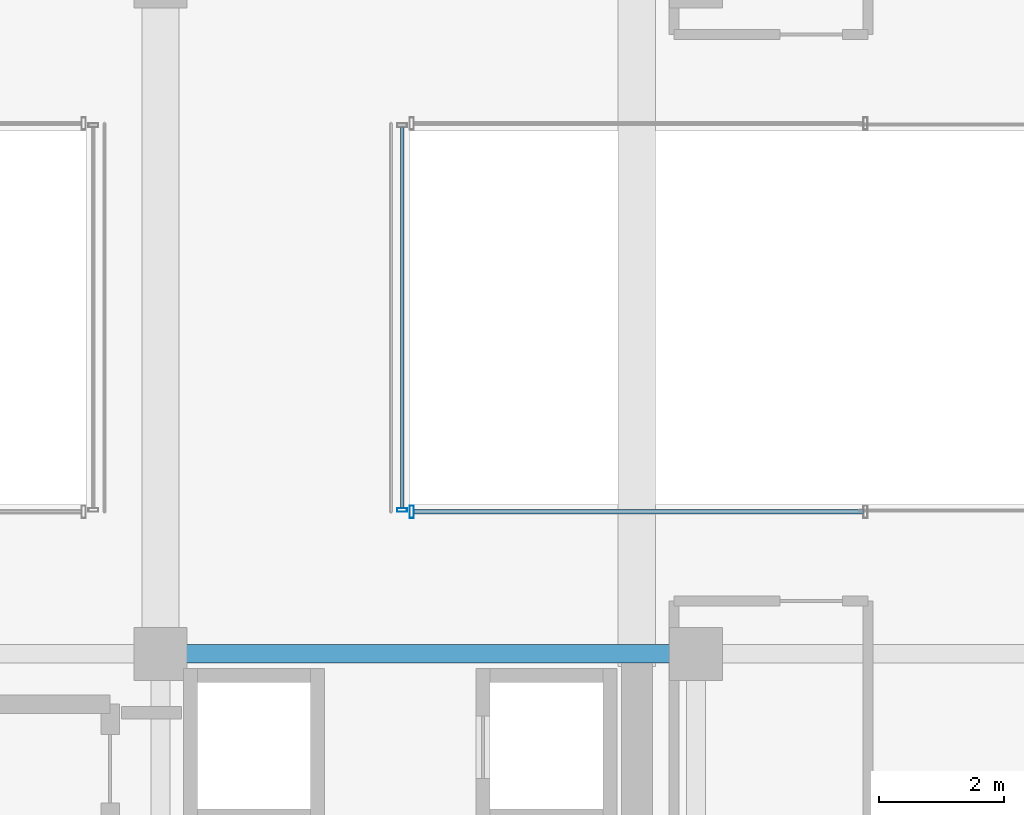
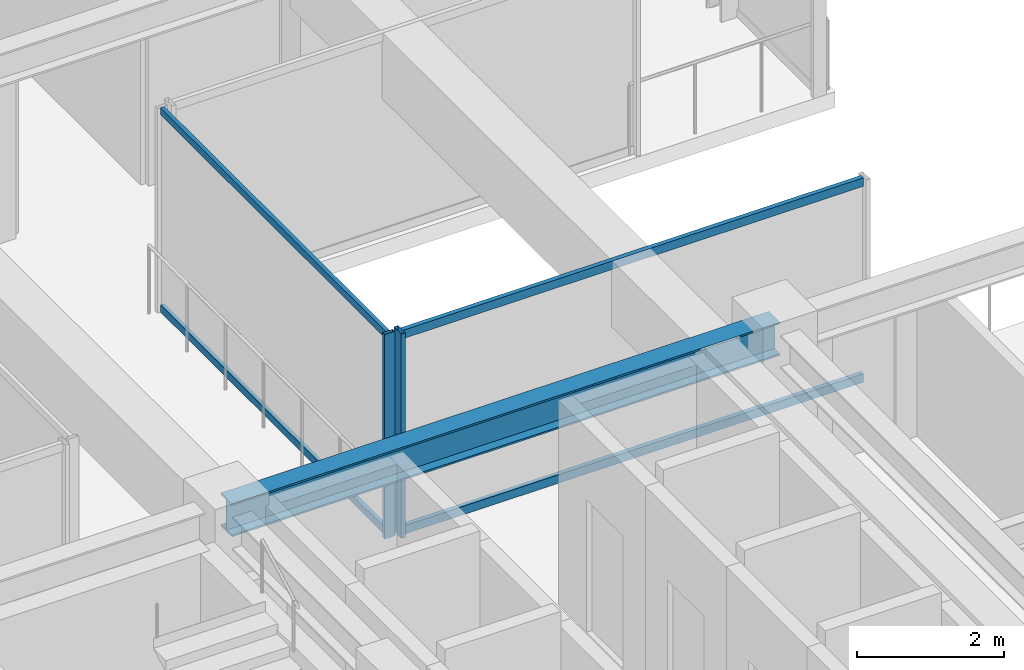
# One storey, part 16 of 41: 6 members, 1 beam, 2 elements without a shape of their own.
"""IFC4 building model written with IfcOpenShell, lengths in metres."""

import ifcopenshell
import ifcopenshell.guid

model = None  # the IFC model being written
_history = None  # IfcOwnerHistory: only IFC2X3 demands one
_inside = {}  # id of a spatial element -> (the spatial element, [elements in it])
_under = {}  # id of a project, library or spatial element -> (it, [spatial elements below it])
_declared = {}  # id of a project -> (the project, [libraries it declares])
_typed = {}  # id of a type object -> (the type object, [elements of that type])
_made_of = {}  # id of a material, layer set ... -> (it, [elements and type objects made of it])


def new_model(schema):
    """Start an empty IFC model of exactly this schema.

    Asked for "IFC4X3", IfcOpenShell would pick the latest addendum, in which some entities
    have other attributes; the version numbers below select the first issue.
    IFC2X3 requires an IfcOwnerHistory on every rooted entity: one is made here for all.
    """
    global model, _history
    if schema == "IFC4X3":
        model = ifcopenshell.file(schema_version=(4, 3, 0, 0))
    else:
        model = ifcopenshell.file(schema=schema)
    _inside.clear()
    _under.clear()
    _declared.clear()
    _typed.clear()
    _made_of.clear()
    _history = None
    if model.schema == "IFC2X3":
        org = make("IfcOrganization", Name="unknown")
        user = make(
            "IfcPersonAndOrganization",
            ThePerson=make("IfcPerson", FamilyName="unknown"),
            TheOrganization=org,
        )
        app = make(
            "IfcApplication",
            ApplicationDeveloper=org,
            Version="unknown",
            ApplicationFullName="unknown",
            ApplicationIdentifier="unknown",
        )
        _history = make(
            "IfcOwnerHistory",
            OwningUser=user,
            OwningApplication=app,
            ChangeAction="ADDED",
            CreationDate=0,
        )
    return model


def make(cls, **values):
    """One entity of the class cls with the attributes given. An attribute that is None is left unset."""
    return model.create_entity(
        cls, **{name: value for name, value in values.items() if value is not None}
    )


def rooted(cls, **values):
    """An entity with a GlobalId (a new one), such as an element, a storey or a relation."""
    return make(cls, GlobalId=ifcopenshell.guid.new(), OwnerHistory=_history, **values)


def si_unit(unit_type, name, prefix=None):
    """IfcSIUnit, for example si_unit("LENGTHUNIT", "METRE", prefix="MILLI")."""
    return make("IfcSIUnit", UnitType=unit_type, Prefix=prefix, Name=name)


def assignment(units):
    """IfcUnitAssignment: the units of a project."""
    return None if units is None else make("IfcUnitAssignment", Units=units)


def point(xyz):
    """IfcCartesianPoint."""
    return None if xyz is None else make("IfcCartesianPoint", Coordinates=xyz)


def direction(xyz):
    """IfcDirection."""
    return None if xyz is None else make("IfcDirection", DirectionRatios=xyz)


def frame(location, z_axis=None, x_axis=None):
    """IfcAxis2Placement3D, a coordinate frame: its origin and axes. An axis left out is left unset."""
    return make(
        "IfcAxis2Placement3D",
        Location=point(location),
        Axis=direction(z_axis),
        RefDirection=direction(x_axis),
    )


def frame_2d(location, x_axis=None):
    """IfcAxis2Placement2D, a coordinate frame in the plane: its origin and x axis."""
    return make(
        "IfcAxis2Placement2D", Location=point(location), RefDirection=direction(x_axis)
    )


def origin():
    """The frame at (0, 0, 0) with its axes left unset."""
    return frame((0.0, 0.0, 0.0))


def origin_2d():
    """The frame at (0, 0) in the plane with its x axis left unset."""
    return frame_2d((0.0, 0.0))


def place(relative_to, where):
    """IfcLocalPlacement: puts the frame where relative to a parent placement (None: the world)."""
    return make(
        "IfcLocalPlacement", PlacementRelTo=relative_to, RelativePlacement=where
    )


def context(
    kind, dimensions, precision=None, world=None, true_north=None, identifier=None
):
    """IfcGeometricRepresentationContext, for example the 3D "Model" context."""
    return make(
        "IfcGeometricRepresentationContext",
        ContextIdentifier=identifier,
        ContextType=kind,
        CoordinateSpaceDimension=dimensions,
        Precision=precision,
        WorldCoordinateSystem=world,
        TrueNorth=true_north,
    )


def subcontext(parent, identifier, kind, view, scale=None):
    """IfcGeometricRepresentationSubContext, for example "Body" below "Model"."""
    return make(
        "IfcGeometricRepresentationSubContext",
        ContextIdentifier=identifier,
        ContextType=kind,
        ParentContext=parent,
        TargetScale=scale,
        TargetView=view,
    )


def project(units=None, contexts=None):
    """IfcProject with its units and contexts."""
    return rooted(
        "IfcProject",
        Name="project",
        RepresentationContexts=contexts,
        UnitsInContext=assignment(units),
    )


def spatial(cls, under=None, at=None, **own):
    """A site, building, storey or space (cls), placed at a placement, below another one or the project."""
    s = rooted(cls, ObjectPlacement=at, **own)
    if under is not None:
        _under.setdefault(under.id(), (under, []))[1].append(s)
    return s


def profile(cls, at=None, kind="AREA", **sizes):
    """A parametric profile (cls). Its sizes go by their IFC names, for example OverallWidth=200.0."""
    return make(cls, ProfileType=kind, Position=at, **sizes)


def hollow_rectangle(**sizes):
    """IfcRectangleHollowProfileDef."""
    return profile("IfcRectangleHollowProfileDef", **sizes)


def i_section(**sizes):
    """IfcIShapeProfileDef."""
    return profile("IfcIShapeProfileDef", **sizes)


def extrude(swept, where, along, depth):
    """IfcExtrudedAreaSolid: the profile swept, set in the frame where, extruded along a direction by depth."""
    return make(
        "IfcExtrudedAreaSolid",
        SweptArea=swept,
        Position=where,
        ExtrudedDirection=direction(along),
        Depth=depth,
    )


def shape(context_of_items, identifier, shape_type, items):
    """IfcShapeRepresentation: the items that make up one representation, for example the "Body"."""
    return make(
        "IfcShapeRepresentation",
        ContextOfItems=context_of_items,
        RepresentationIdentifier=identifier,
        RepresentationType=shape_type,
        Items=items,
    )


def source(mapping_origin, context_of_items, identifier, shape_type, items):
    """IfcRepresentationMap: a shape defined once, which mapped items show again and again."""
    return make(
        "IfcRepresentationMap",
        MappingOrigin=mapping_origin,
        MappedRepresentation=shape(context_of_items, identifier, shape_type, items),
    )


def transform(
    local_origin,
    x_axis=None,
    y_axis=None,
    z_axis=None,
    scale=None,
    scale2=None,
    scale3=None,
    uniform=True,
):
    """IfcCartesianTransformationOperator3D, or its non-uniform kind. x_axis, y_axis, z_axis: its Axis1, 2, 3."""
    if uniform:
        return make(
            "IfcCartesianTransformationOperator3D",
            Axis1=direction(x_axis),
            Axis2=direction(y_axis),
            LocalOrigin=point(local_origin),
            Scale=scale,
            Axis3=direction(z_axis),
        )
    return make(
        "IfcCartesianTransformationOperator3DnonUniform",
        Axis1=direction(x_axis),
        Axis2=direction(y_axis),
        LocalOrigin=point(local_origin),
        Scale=scale,
        Axis3=direction(z_axis),
        Scale2=scale2,
        Scale3=scale3,
    )


def mapped(mapping_source, mapping_target):
    """IfcMappedItem: shows the shape of a source again, moved by a transform."""
    return make(
        "IfcMappedItem", MappingSource=mapping_source, MappingTarget=mapping_target
    )


def material(Name=None, Category=None):
    """IfcMaterial."""
    return make("IfcMaterial", Name=Name, Category=Category)


def material_profile(
    of_material, cross_section, Name=None, Category=None, Priority=None
):
    """IfcMaterialProfile: a cross section and its material."""
    return make(
        "IfcMaterialProfile",
        Name=Name,
        Material=of_material,
        Profile=cross_section,
        Priority=Priority,
        Category=Category,
    )


def profile_set(profiles, Name=None, composite=None):
    """IfcMaterialProfileSet."""
    return make(
        "IfcMaterialProfileSet",
        Name=Name,
        MaterialProfiles=profiles,
        CompositeProfile=composite,
    )


def made_of(thing, what):
    """Note that an element or type object is made of a material, layer set ...; save() writes the relation."""
    if what is not None:
        _made_of.setdefault(what.id(), (what, []))[1].append(thing)
    return thing


def type_object(cls, material=None, **own):
    """A type object (cls), such as IfcWallType, which elements share."""
    return made_of(rooted(cls, **own), material)


def element(
    cls,
    number,
    at=None,
    inside=None,
    cuts=None,
    type_object=None,
    material=None,
    context=None,
    identifier="Body",
    shape_type=None,
    held_by="IfcProductDefinitionShape",
    body=None,
    shapes=None,
    **own,
):
    """One element of the class cls, such as IfcWall. Its Tag is "e" and its number.

    at: its placement. inside: the storey or other place that contains it. cuts: it is an
    opening in that element (IfcRelVoidsElement). A single representation is given by context,
    identifier, shape_type and body (its items); several are given by shapes. held_by: the class
    of the entity that holds the representations. save() writes the other relations.
    """
    e = rooted(cls, Tag="e%d" % number, ObjectPlacement=at, **own)
    if body is not None:
        shapes = [shape(context, identifier, shape_type, body)]
    if shapes is not None:
        e.Representation = make(held_by, Representations=shapes)
    if inside is not None:
        _inside.setdefault(inside.id(), (inside, []))[1].append(e)
    if cuts is not None:
        rooted(
            "IfcRelVoidsElement", RelatingBuildingElement=cuts, RelatedOpeningElement=e
        )
    if type_object is not None:
        _typed.setdefault(type_object.id(), (type_object, []))[1].append(e)
    return made_of(e, material)


def aggregate(whole, parts):
    """IfcRelAggregates: a whole, such as a stair, and the parts it consists of."""
    return rooted("IfcRelAggregates", RelatingObject=whole, RelatedObjects=parts)


def save(model, path):
    """Write the relations noted so far, then the file.

    IfcRelAggregates (storeys below a building ...), IfcRelContainedInSpatialStructure (elements
    in a storey), IfcRelDefinesByType, IfcRelAssociatesMaterial and IfcRelDeclares: one each for
    every whole, place, type object, material and project.
    """
    for whole, parts in _under.values():
        aggregate(whole, parts)
    for where, things in _inside.values():
        rooted(
            "IfcRelContainedInSpatialStructure",
            RelatedElements=things,
            RelatingStructure=where,
        )
    for kind, things in _typed.values():
        rooted("IfcRelDefinesByType", RelatedObjects=things, RelatingType=kind)
    for what, things in _made_of.values():
        rooted("IfcRelAssociatesMaterial", RelatedObjects=things, RelatingMaterial=what)
    for by, libraries in _declared.values():
        rooted("IfcRelDeclares", RelatingContext=by, RelatedDefinitions=libraries)
    model.write(path)


model = new_model("IFC4")

# Units and contexts
model_context = context("Model", 3, precision=1e-05, world=origin(), true_north=direction((0.0, 1.0)))
body_context = subcontext(model_context, "Body", "Model", "MODEL_VIEW")
ifc_project = project(units=[si_unit("LENGTHUNIT", "METRE"), si_unit("AREAUNIT", "SQUARE_METRE"), si_unit("VOLUMEUNIT", "CUBIC_METRE"), si_unit("PLANEANGLEUNIT", "RADIAN"), si_unit("MASSUNIT", "GRAM", prefix="KILO")], contexts=[model_context])

# Site, building, storey
site_placement = place(None, origin())
site = spatial("IfcSite", under=ifc_project, at=site_placement, CompositionType="ELEMENT")
building_placement = place(site_placement, origin())
building = spatial("IfcBuilding", under=site, at=building_placement, Name="Nahalor Promenade Grand Hotel", CompositionType="ELEMENT")
storey_placement = place(building_placement, frame((0.0, 0.0, 159.949951171875)))
storey = spatial("IfcBuildingStorey", under=building, at=storey_placement, Name="L40", CompositionType="ELEMENT", Elevation=159.949951171875)

# Beam
ifc_material_1 = material(Name="Steel S355JR", Category="steel")
ifc_material_profile_1 = material_profile(ifc_material_1, i_section(OverallWidth=0.3, OverallDepth=0.55, WebThickness=0.015, FlangeThickness=0.029, at=origin_2d()), Name="HEB 550")
ifc_profile_set_1 = profile_set([ifc_material_profile_1], Name="Steel S355JR")
beam_type = type_object("IfcBeamType", Name="Beam-Girder-HEB550", PredefinedType="BEAM", material=ifc_profile_set_1)
shared_shape_1 = source(origin(), body_context, "Body", "SweptSolid", [
    extrude(i_section(OverallWidth=0.3, OverallDepth=0.55, WebThickness=0.015, FlangeThickness=0.029, at=origin_2d()), origin(), (0.0, 0.0, 1.0), 8.60009765625),
])
beam_placement = place(storey_placement, frame((8.39990234375, -5.39990234375, 3.114990234375), z_axis=(1.0, 0.0, 0.0), x_axis=(0.0, 1.0, 0.0)))
element("IfcBeam", 1, at=beam_placement, inside=storey, type_object=beam_type, Name="BM-L40-GX-1-5", PredefinedType="BEAM", context=body_context, shape_type="MappedRepresentation", body=[
    mapped(shared_shape_1, transform((0.0, 0.0, 0.0), scale=1.0)),
])

# Curtain wall, members
ifc_material_2 = material(Name="Anodised Bronze Aluminium EN AW-6063 T6", Category="aluminium")
curtain_wall_type_1 = type_object("IfcCurtainWallType", Name="CW4 Low-Iron Sky-Gallery Bridge Curtain Wall", PredefinedType="USERDEFINED", material=ifc_material_2)
curtain_wall_1_placement = place(storey_placement, origin())
curtain_wall_1 = element("IfcCurtainWall", 2, at=curtain_wall_1_placement, inside=storey, type_object=curtain_wall_type_1, Name="L40 Curtain Wall CW-L40-BRG-E", ObjectType="UNITISED_CURTAIN_WALL", PredefinedType="USERDEFINED")
ifc_material_profile_2 = material_profile(ifc_material_2, hollow_rectangle(XDim=0.06, YDim=0.12, WallThickness=0.004, at=origin_2d()), Name="CWT 60x120x4")
ifc_profile_set_2 = profile_set([ifc_material_profile_2], Name="Anodised Bronze Aluminium EN AW-6063 T6")
member_type_1 = type_object("IfcMemberType", Name="CWT4 Sky-Gallery Slim Transom 60x120", PredefinedType="USERDEFINED", material=ifc_profile_set_2)
shared_shape_2 = source(origin(), body_context, "Body", "SweptSolid", [
    extrude(hollow_rectangle(XDim=0.06, YDim=0.12, WallThickness=0.004, at=origin_2d()), origin(), (0.0, 0.0, 1.0), 6.1181640625),
])
member_1_placement = place(storey_placement, frame((12.280029296875, -3.05908203125, 0.06005859375), z_axis=(0.0, 1.0, 0.0), x_axis=(-1.0, 0.0, 0.0)))
member_1 = element("IfcMember", 3, at=member_1_placement, type_object=member_type_1, Name="CW-L40-BRG-E Transom 0-0", ObjectType="TRANSOM", PredefinedType="USERDEFINED", context=body_context, shape_type="MappedRepresentation", body=[
    mapped(shared_shape_2, transform((0.0, 0.0, 0.0), scale=1.0)),
])
member_2_placement = place(storey_placement, frame((12.280029296875, -3.05908203125, 3.330078125), z_axis=(0.0, 1.0, 0.0), x_axis=(-1.0, 0.0, 0.0)))
member_2 = element("IfcMember", 4, at=member_2_placement, type_object=member_type_1, Name="CW-L40-BRG-E Transom 0-1", ObjectType="TRANSOM", PredefinedType="USERDEFINED", context=body_context, shape_type="MappedRepresentation", body=[
    mapped(shared_shape_2, transform((0.0, 0.0, 0.0), scale=1.0)),
])

curtain_wall_type_2 = type_object("IfcCurtainWallType", Name="CW3 Elliptical-Void Collar Unitised Curtain Wall", PredefinedType="USERDEFINED", material=ifc_material_2)
curtain_wall_2_placement = place(storey_placement, origin())
curtain_wall_2 = element("IfcCurtainWall", 5, at=curtain_wall_2_placement, inside=storey, type_object=curtain_wall_type_2, Name="L40 Curtain Wall CW-L40-VOID-ES1", ObjectType="UNITISED_CURTAIN_WALL", PredefinedType="USERDEFINED")
ifc_material_profile_3 = material_profile(ifc_material_2, hollow_rectangle(XDim=0.07, YDim=0.2, WallThickness=0.005, at=origin_2d()), Name="CWM 70x200x5")
ifc_profile_set_3 = profile_set([ifc_material_profile_3], Name="Anodised Bronze Aluminium EN AW-6063 T6")
member_type_2 = type_object("IfcMemberType", Name="CWM3 Void Collar Mullion 70x200", PredefinedType="MULLION", material=ifc_profile_set_3)
shared_shape_3 = source(origin(), body_context, "Body", "SweptSolid", [
    extrude(hollow_rectangle(XDim=0.07, YDim=0.2, WallThickness=0.005, at=origin_2d()), origin(), (0.0, 0.0, 1.0), 3.39013671875),
])
member_3_placement = place(storey_placement, frame((12.43505859375, -3.118896484375, 0.0), z_axis=(0.0, 0.0, 1.0), x_axis=(1.0, 0.0, 0.0)))
member_3 = element("IfcMember", 6, at=member_3_placement, type_object=member_type_2, Name="CW-L40-VOID-ES1 Mullion 0", PredefinedType="MULLION", context=body_context, shape_type="MappedRepresentation", body=[
    mapped(shared_shape_3, transform((0.0, 0.0, 0.0), scale=1.0)),
])
ifc_material_profile_4 = material_profile(ifc_material_2, hollow_rectangle(XDim=0.07, YDim=0.14, WallThickness=0.004, at=origin_2d()), Name="CWT 70x140x4")
ifc_profile_set_4 = profile_set([ifc_material_profile_4], Name="Anodised Bronze Aluminium EN AW-6063 T6")
member_type_3 = type_object("IfcMemberType", Name="CWT3 Void Collar Transom 70x140", PredefinedType="USERDEFINED", material=ifc_profile_set_4)
shared_shape_4 = source(origin(), body_context, "Body", "SweptSolid", [
    extrude(hollow_rectangle(XDim=0.07, YDim=0.14, WallThickness=0.004, at=origin_2d()), origin(), (0.0, 0.0, 1.0), 7.219970703125),
])
member_4_placement = place(storey_placement, frame((12.469970703125, -3.118896484375, 0.070068359375), z_axis=(1.0, 0.0, 0.0), x_axis=(0.0, 1.0, 0.0)))
member_4 = element("IfcMember", 7, at=member_4_placement, type_object=member_type_3, Name="CW-L40-VOID-ES1 Transom 0-0", ObjectType="TRANSOM", PredefinedType="USERDEFINED", context=body_context, shape_type="MappedRepresentation", body=[
    mapped(shared_shape_4, transform((0.0, 0.0, 0.0), scale=1.0)),
])
member_5_placement = place(storey_placement, frame((12.469970703125, -3.118896484375, 3.320068359375), z_axis=(1.0, 0.0, 0.0), x_axis=(0.0, 1.0, 0.0)))
member_5 = element("IfcMember", 8, at=member_5_placement, type_object=member_type_3, Name="CW-L40-VOID-ES1 Transom 0-1", ObjectType="TRANSOM", PredefinedType="USERDEFINED", context=body_context, shape_type="MappedRepresentation", body=[
    mapped(shared_shape_4, transform((0.0, 0.0, 0.0), scale=1.0)),
])
aggregate(curtain_wall_2, [member_3, member_4, member_5])

# Member
ifc_material_profile_5 = material_profile(ifc_material_2, hollow_rectangle(XDim=0.06, YDim=0.16, WallThickness=0.004, at=origin_2d()), Name="CWM 60x160x4")
ifc_profile_set_5 = profile_set([ifc_material_profile_5], Name="Anodised Bronze Aluminium EN AW-6063 T6")
member_type_4 = type_object("IfcMemberType", Name="CWM4 Sky-Gallery Slim Mullion 60x160", PredefinedType="MULLION", material=ifc_profile_set_5)
shared_shape_5 = source(origin(), body_context, "Body", "SweptSolid", [
    extrude(hollow_rectangle(XDim=0.06, YDim=0.16, WallThickness=0.004, at=origin_2d()), origin(), (0.0, 0.0, 1.0), 3.39013671875),
])
member_6_placement = place(storey_placement, frame((12.280029296875, -3.089111328125, 0.0), z_axis=(0.0, 0.0, 1.0), x_axis=(0.0, 1.0, 0.0)))
member_6 = element("IfcMember", 9, at=member_6_placement, type_object=member_type_4, Name="CW-L40-BRG-E Mullion 0", PredefinedType="MULLION", context=body_context, shape_type="MappedRepresentation", body=[
    mapped(shared_shape_5, transform((0.0, 0.0, 0.0), scale=1.0)),
])

aggregate(curtain_wall_1, [member_6, member_1, member_2])

save(model, "model.ifc")
